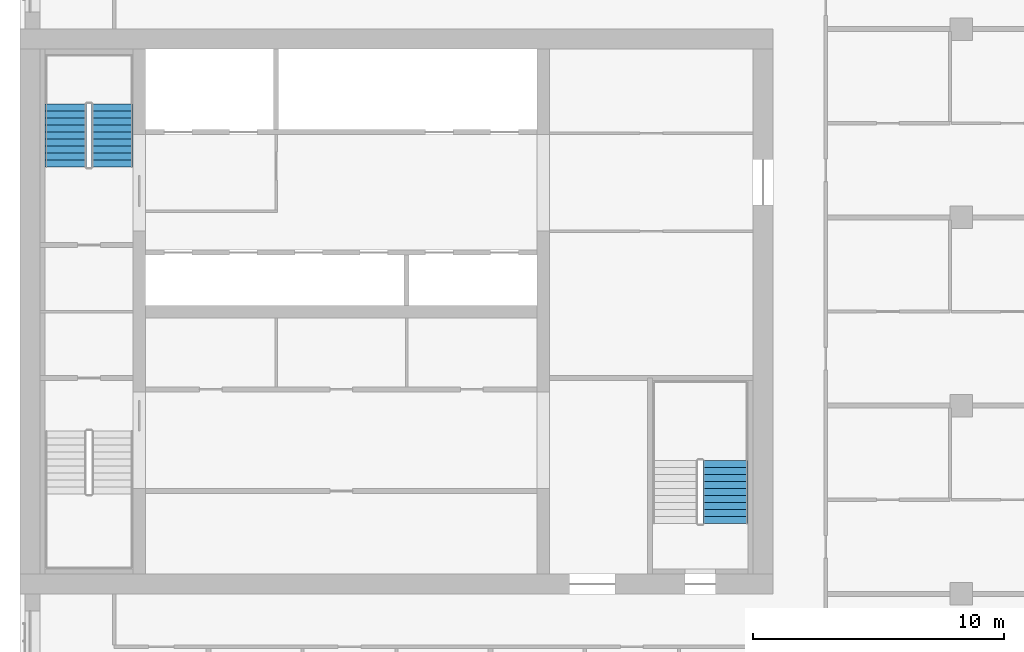
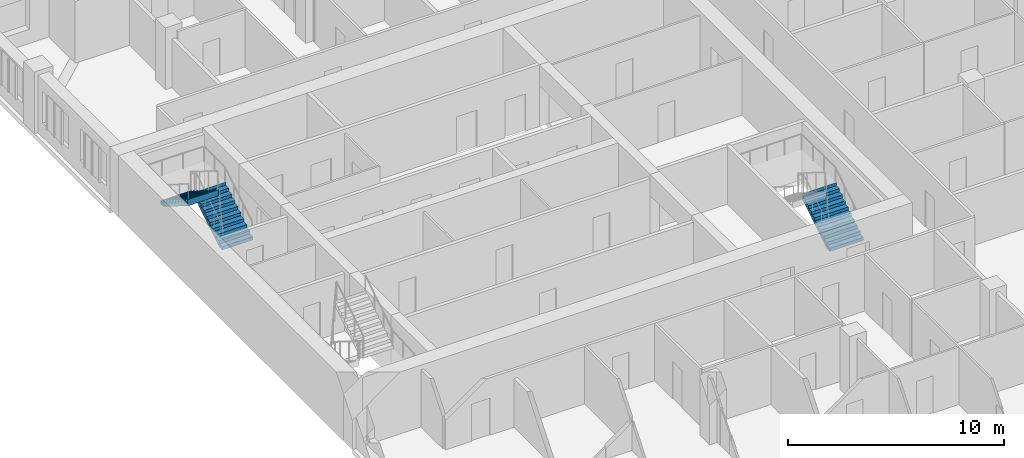
# One storey, part 13 of 14: 3 stair flights, 2 elements without a shape of their own.
"""IFC4 building model written with IfcOpenShell, lengths in metres."""

import ifcopenshell
import ifcopenshell.guid

model = None  # the IFC model being written
_history = None  # IfcOwnerHistory: only IFC2X3 demands one
_inside = {}  # id of a spatial element -> (the spatial element, [elements in it])
_under = {}  # id of a project, library or spatial element -> (it, [spatial elements below it])
_declared = {}  # id of a project -> (the project, [libraries it declares])
_typed = {}  # id of a type object -> (the type object, [elements of that type])
_made_of = {}  # id of a material, layer set ... -> (it, [elements and type objects made of it])


def new_model(schema):
    """Start an empty IFC model of exactly this schema.

    Asked for "IFC4X3", IfcOpenShell would pick the latest addendum, in which some entities
    have other attributes; the version numbers below select the first issue.
    IFC2X3 requires an IfcOwnerHistory on every rooted entity: one is made here for all.
    """
    global model, _history
    if schema == "IFC4X3":
        model = ifcopenshell.file(schema_version=(4, 3, 0, 0))
    else:
        model = ifcopenshell.file(schema=schema)
    _inside.clear()
    _under.clear()
    _declared.clear()
    _typed.clear()
    _made_of.clear()
    _history = None
    if model.schema == "IFC2X3":
        org = make("IfcOrganization", Name="unknown")
        user = make(
            "IfcPersonAndOrganization",
            ThePerson=make("IfcPerson", FamilyName="unknown"),
            TheOrganization=org,
        )
        app = make(
            "IfcApplication",
            ApplicationDeveloper=org,
            Version="unknown",
            ApplicationFullName="unknown",
            ApplicationIdentifier="unknown",
        )
        _history = make(
            "IfcOwnerHistory",
            OwningUser=user,
            OwningApplication=app,
            ChangeAction="ADDED",
            CreationDate=0,
        )
    return model


def make(cls, **values):
    """One entity of the class cls with the attributes given. An attribute that is None is left unset."""
    return model.create_entity(
        cls, **{name: value for name, value in values.items() if value is not None}
    )


def rooted(cls, **values):
    """An entity with a GlobalId (a new one), such as an element, a storey or a relation."""
    return make(cls, GlobalId=ifcopenshell.guid.new(), OwnerHistory=_history, **values)


def si_unit(unit_type, name, prefix=None):
    """IfcSIUnit, for example si_unit("LENGTHUNIT", "METRE", prefix="MILLI")."""
    return make("IfcSIUnit", UnitType=unit_type, Prefix=prefix, Name=name)


def assignment(units):
    """IfcUnitAssignment: the units of a project."""
    return None if units is None else make("IfcUnitAssignment", Units=units)


def point(xyz):
    """IfcCartesianPoint."""
    return None if xyz is None else make("IfcCartesianPoint", Coordinates=xyz)


def direction(xyz):
    """IfcDirection."""
    return None if xyz is None else make("IfcDirection", DirectionRatios=xyz)


def frame(location, z_axis=None, x_axis=None):
    """IfcAxis2Placement3D, a coordinate frame: its origin and axes. An axis left out is left unset."""
    return make(
        "IfcAxis2Placement3D",
        Location=point(location),
        Axis=direction(z_axis),
        RefDirection=direction(x_axis),
    )


def origin():
    """The frame at (0, 0, 0) with its axes left unset."""
    return frame((0.0, 0.0, 0.0))


def place(relative_to, where):
    """IfcLocalPlacement: puts the frame where relative to a parent placement (None: the world)."""
    return make(
        "IfcLocalPlacement", PlacementRelTo=relative_to, RelativePlacement=where
    )


def context(
    kind, dimensions, precision=None, world=None, true_north=None, identifier=None
):
    """IfcGeometricRepresentationContext, for example the 3D "Model" context."""
    return make(
        "IfcGeometricRepresentationContext",
        ContextIdentifier=identifier,
        ContextType=kind,
        CoordinateSpaceDimension=dimensions,
        Precision=precision,
        WorldCoordinateSystem=world,
        TrueNorth=true_north,
    )


def subcontext(parent, identifier, kind, view, scale=None):
    """IfcGeometricRepresentationSubContext, for example "Body" below "Model"."""
    return make(
        "IfcGeometricRepresentationSubContext",
        ContextIdentifier=identifier,
        ContextType=kind,
        ParentContext=parent,
        TargetScale=scale,
        TargetView=view,
    )


def project(units=None, contexts=None):
    """IfcProject with its units and contexts."""
    return rooted(
        "IfcProject",
        Name="project",
        RepresentationContexts=contexts,
        UnitsInContext=assignment(units),
    )


def spatial(cls, under=None, at=None, **own):
    """A site, building, storey or space (cls), placed at a placement, below another one or the project."""
    s = rooted(cls, ObjectPlacement=at, **own)
    if under is not None:
        _under.setdefault(under.id(), (under, []))[1].append(s)
    return s


def polyline(points):
    """IfcPolyline through the points."""
    return make("IfcPolyline", Points=[point(p) for p in points])


def outline(outer, holes=None, kind="AREA"):
    """IfcArbitraryClosedProfileDef: a profile drawn as a closed curve; with holes, ...WithVoids."""
    if holes is None:
        return make("IfcArbitraryClosedProfileDef", ProfileType=kind, OuterCurve=outer)
    return make(
        "IfcArbitraryProfileDefWithVoids",
        ProfileType=kind,
        OuterCurve=outer,
        InnerCurves=holes,
    )


def extrude(swept, where, along, depth):
    """IfcExtrudedAreaSolid: the profile swept, set in the frame where, extruded along a direction by depth."""
    return make(
        "IfcExtrudedAreaSolid",
        SweptArea=swept,
        Position=where,
        ExtrudedDirection=direction(along),
        Depth=depth,
    )


def shape(context_of_items, identifier, shape_type, items):
    """IfcShapeRepresentation: the items that make up one representation, for example the "Body"."""
    return make(
        "IfcShapeRepresentation",
        ContextOfItems=context_of_items,
        RepresentationIdentifier=identifier,
        RepresentationType=shape_type,
        Items=items,
    )


def material(Name=None, Category=None):
    """IfcMaterial."""
    return make("IfcMaterial", Name=Name, Category=Category)


def made_of(thing, what):
    """Note that an element or type object is made of a material, layer set ...; save() writes the relation."""
    if what is not None:
        _made_of.setdefault(what.id(), (what, []))[1].append(thing)
    return thing


def type_object(cls, material=None, **own):
    """A type object (cls), such as IfcWallType, which elements share."""
    return made_of(rooted(cls, **own), material)


def element(
    cls,
    number,
    at=None,
    inside=None,
    cuts=None,
    type_object=None,
    material=None,
    context=None,
    identifier="Body",
    shape_type=None,
    held_by="IfcProductDefinitionShape",
    body=None,
    shapes=None,
    **own,
):
    """One element of the class cls, such as IfcWall. Its Tag is "e" and its number.

    at: its placement. inside: the storey or other place that contains it. cuts: it is an
    opening in that element (IfcRelVoidsElement). A single representation is given by context,
    identifier, shape_type and body (its items); several are given by shapes. held_by: the class
    of the entity that holds the representations. save() writes the other relations.
    """
    e = rooted(cls, Tag="e%d" % number, ObjectPlacement=at, **own)
    if body is not None:
        shapes = [shape(context, identifier, shape_type, body)]
    if shapes is not None:
        e.Representation = make(held_by, Representations=shapes)
    if inside is not None:
        _inside.setdefault(inside.id(), (inside, []))[1].append(e)
    if cuts is not None:
        rooted(
            "IfcRelVoidsElement", RelatingBuildingElement=cuts, RelatedOpeningElement=e
        )
    if type_object is not None:
        _typed.setdefault(type_object.id(), (type_object, []))[1].append(e)
    return made_of(e, material)


def aggregate(whole, parts):
    """IfcRelAggregates: a whole, such as a stair, and the parts it consists of."""
    return rooted("IfcRelAggregates", RelatingObject=whole, RelatedObjects=parts)


def save(model, path):
    """Write the relations noted so far, then the file.

    IfcRelAggregates (storeys below a building ...), IfcRelContainedInSpatialStructure (elements
    in a storey), IfcRelDefinesByType, IfcRelAssociatesMaterial and IfcRelDeclares: one each for
    every whole, place, type object, material and project.
    """
    for whole, parts in _under.values():
        aggregate(whole, parts)
    for where, things in _inside.values():
        rooted(
            "IfcRelContainedInSpatialStructure",
            RelatedElements=things,
            RelatingStructure=where,
        )
    for kind, things in _typed.values():
        rooted("IfcRelDefinesByType", RelatedObjects=things, RelatingType=kind)
    for what, things in _made_of.values():
        rooted("IfcRelAssociatesMaterial", RelatedObjects=things, RelatingMaterial=what)
    for by, libraries in _declared.values():
        rooted("IfcRelDeclares", RelatingContext=by, RelatedDefinitions=libraries)
    model.write(path)


model = new_model("IFC4")

# Units and contexts
model_context = context("Model", 3, precision=1e-05, world=origin(), true_north=direction((0.0, 1.0)))
body_context = subcontext(model_context, "Body", "Model", "MODEL_VIEW")
ifc_project = project(units=[si_unit("LENGTHUNIT", "METRE"), si_unit("AREAUNIT", "SQUARE_METRE"), si_unit("VOLUMEUNIT", "CUBIC_METRE"), si_unit("PLANEANGLEUNIT", "RADIAN"), si_unit("MASSUNIT", "GRAM", prefix="KILO")], contexts=[model_context])

# Site, building, storey
site_placement = place(None, origin())
site = spatial("IfcSite", under=ifc_project, at=site_placement, CompositionType="ELEMENT")
building_placement = place(site_placement, origin())
building = spatial("IfcBuilding", under=site, at=building_placement, Name="Tamorin Gate", CompositionType="ELEMENT")
storey_placement = place(building_placement, frame((0.0, 0.0, 196.699951171875)))
storey = spatial("IfcBuildingStorey", under=building, at=storey_placement, Name="L48", CompositionType="ELEMENT", Elevation=196.699951171875)

# Stair, stair flights
ifc_material = material(Name="Concrete C40/50", Category="concrete")
stair_type = type_object("IfcStairType", Name="Exit stair", PredefinedType="HALF_TURN_STAIR", material=ifc_material)
stair_1_placement = place(storey_placement, origin())
stair_1 = element("IfcStair", 1, at=stair_1_placement, inside=storey, type_object=stair_type, Name="L48 stair ST2", PredefinedType="HALF_TURN_STAIR")
stair_flight_type = type_object("IfcStairFlightType", Name="Exit stair flight", PredefinedType="STRAIGHT", material=ifc_material)
stair_flight_1_placement = place(storey_placement, frame((33.675048828125, 77.0, 0.0), z_axis=(0.0, 0.0, 1.0), x_axis=(0.0, 1.0, 0.0)))
stair_flight_1 = element("IfcStairFlight", 2, at=stair_flight_1_placement, type_object=stair_flight_type, Name="ST2 flight 1", NumberOfRisers=10, NumberOfTreads=9, PredefinedType="STRAIGHT", RiserHeight=0.175, TreadLength=0.28, context=body_context, shape_type="SweptSolid", body=[
    extrude(outline(polyline([(-0.00048828125, 0.0), (-0.00048828125, 0.001708984375), (-0.00048828125, 0.00341796875), (-0.00048828125, 0.005126953125), (-0.00048828125, 0.0068359375), (-0.00048828125, 0.008544921875), (-0.00048828125, 0.010498046875), (-0.00048828125, 0.01220703125), (-0.00048828125, 0.013916015625), (-0.00048828125, 0.015625), (-0.00048828125, 0.017333984375), (-0.00048828125, 0.01904296875), (-0.00048828125, 0.020751953125), (-0.00048828125, 0.0224609375), (-0.00048828125, 0.024169921875), (-0.00048828125, 0.02587890625), (-0.00048828125, 0.02783203125), (-0.00048828125, 0.029541015625), (-0.00048828125, 0.03125), (-0.00048828125, 0.032958984375), (-0.00048828125, 0.03466796875), (-0.00048828125, 0.036376953125), (-0.00048828125, 0.0380859375), (-0.00048828125, 0.039794921875), (-0.00048828125, 0.04150390625), (-0.00048828125, 0.043212890625), (-0.00048828125, 0.045166015625), (-0.00048828125, 0.046875), (-0.00048828125, 0.048583984375), (-0.00048828125, 0.05029296875), (-0.00048828125, 0.052001953125), (-0.00048828125, 0.0537109375), (-0.00048828125, 0.055419921875), (-0.00048828125, 0.05712890625), (-0.00048828125, 0.058837890625), (-0.00048828125, 0.060546875), (-0.00048828125, 0.062255859375), (-0.00048828125, 0.064208984375), (-0.00048828125, 0.06591796875), (-0.00048828125, 0.067626953125), (-0.00048828125, 0.0693359375), (-0.00048828125, 0.071044921875), (-0.00048828125, 0.07275390625), (-0.00048828125, 0.074462890625), (-0.00048828125, 0.076171875), (-0.00048828125, 0.077880859375), (-0.00048828125, 0.07958984375), (-0.00048828125, 0.08154296875), (-0.00048828125, 0.083251953125), (-0.00048828125, 0.0849609375), (-0.00048828125, 0.086669921875), (-0.00048828125, 0.08837890625), (-0.00048828125, 0.090087890625), (-0.00048828125, 0.091796875), (-0.00048828125, 0.093505859375), (-0.00048828125, 0.09521484375), (-0.00048828125, 0.096923828125), (-0.00048828125, 0.098876953125), (-0.00048828125, 0.1005859375), (-0.00048828125, 0.102294921875), (-0.00048828125, 0.10400390625), (-0.00048828125, 0.105712890625), (-0.00048828125, 0.107421875), (-0.00048828125, 0.109130859375), (-0.00048828125, 0.11083984375), (-0.00048828125, 0.112548828125), (-0.00048828125, 0.1142578125), (-0.00048828125, 0.1162109375), (-0.00048828125, 0.117919921875), (-0.00048828125, 0.11962890625), (-0.00048828125, 0.121337890625), (-0.00048828125, 0.123046875), (-0.00048828125, 0.124755859375), (-0.00048828125, 0.12646484375), (-0.00048828125, 0.128173828125), (-0.00048828125, 0.1298828125), (-0.00048828125, 0.131591796875), (-0.00048828125, 0.13330078125), (-0.00048828125, 0.13525390625), (-0.00048828125, 0.136962890625), (-0.00048828125, 0.138671875), (-0.00048828125, 0.140380859375), (-0.00048828125, 0.14208984375), (-0.00048828125, 0.143798828125), (-0.00048828125, 0.1455078125), (-0.00048828125, 0.147216796875), (-0.00048828125, 0.14892578125), (-0.00048828125, 0.150634765625), (-0.00048828125, 0.152587890625), (-0.00048828125, 0.154296875), (-0.00048828125, 0.156005859375), (-0.00048828125, 0.15771484375), (-0.00048828125, 0.159423828125), (-0.00048828125, 0.1611328125), (-0.00048828125, 0.162841796875), (-0.00048828125, 0.16455078125), (-0.00048828125, 0.166259765625), (-0.00048828125, 0.16796875), (-0.00048828125, 0.169921875), (-0.00048828125, 0.171630859375), (-0.00048828125, 0.17333984375), (-0.00048828125, 0.175048828125), (0.280029296875, 0.175048828125), (0.280029296875, 0.35009765625), (0.56005859375, 0.35009765625), (0.56005859375, 0.52490234375), (0.840087890625, 0.52490234375), (0.840087890625, 0.699951171875), (1.1201171875, 0.699951171875), (1.1201171875, 0.875), (1.39990234375, 0.875), (1.39990234375, 1.050048828125), (1.679931640625, 1.050048828125), (1.679931640625, 1.22509765625), (1.9599609375, 1.22509765625), (1.9599609375, 1.39990234375), (2.239990234375, 1.39990234375), (2.239990234375, 1.574951171875), (2.52001953125, 1.574951171875), (2.52001953125, 1.75), (2.5205078125, 1.75), (2.5205078125, 1.74658203125), (2.5205078125, 1.742919921875), (2.5205078125, 1.739501953125), (2.5205078125, 1.736083984375), (2.5205078125, 1.732666015625), (2.5205078125, 1.72900390625), (2.5205078125, 1.7255859375), (2.5205078125, 1.72216796875), (2.5205078125, 1.71875), (2.5205078125, 1.715087890625), (2.5205078125, 1.711669921875), (2.5205078125, 1.708251953125), (2.5205078125, 1.704833984375), (2.5205078125, 1.701171875), (2.5205078125, 1.69775390625), (2.5205078125, 1.6943359375), (2.5205078125, 1.690673828125), (2.5205078125, 1.687255859375), (2.5205078125, 1.683837890625), (2.5205078125, 1.680419921875), (2.5205078125, 1.6767578125), (2.5205078125, 1.67333984375), (2.5205078125, 1.669921875), (2.5205078125, 1.66650390625), (2.5205078125, 1.662841796875), (2.5205078125, 1.659423828125), (2.5205078125, 1.656005859375), (2.5205078125, 1.652587890625), (2.5205078125, 1.64892578125), (2.5205078125, 1.6455078125), (2.5205078125, 1.64208984375), (2.5205078125, 1.638427734375), (2.5205078125, 1.635009765625), (2.5205078125, 1.631591796875), (2.5205078125, 1.628173828125), (2.5205078125, 1.62451171875), (2.5205078125, 1.62109375), (2.5205078125, 1.61767578125), (2.5205078125, 1.6142578125), (2.5205078125, 1.610595703125), (2.5205078125, 1.607177734375), (2.5205078125, 1.603759765625), (2.5205078125, 1.600341796875), (2.5205078125, 1.5966796875), (2.5205078125, 1.59326171875), (2.5205078125, 1.58984375), (2.5205078125, 1.58642578125), (2.5205078125, 1.582763671875), (2.5205078125, 1.579345703125), (2.5205078125, 1.575927734375), (2.5205078125, 1.572265625), (2.5205078125, 1.56884765625), (2.5205078125, 1.5654296875), (2.5205078125, 1.56201171875), (2.5205078125, 1.558349609375), (2.5205078125, 1.554931640625), (2.5205078125, 1.551513671875), (2.5205078125, 1.548095703125), (2.5205078125, 1.54443359375), (2.5205078125, 1.541015625), (2.5205078125, 1.53759765625), (2.5205078125, 1.5341796875), (2.5205078125, 1.530517578125), (2.5205078125, 1.527099609375), (2.5205078125, 1.523681640625), (2.5205078125, 1.52001953125), (2.5205078125, 1.5166015625), (2.5205078125, 1.51318359375), (2.5205078125, 1.509765625), (2.5205078125, 1.506103515625), (2.5205078125, 1.502685546875), (2.5205078125, 1.499267578125), (2.5205078125, 1.495849609375), (2.5205078125, 1.4921875), (2.5205078125, 1.48876953125), (2.5205078125, 1.4853515625), (2.5205078125, 1.48193359375), (2.5205078125, 1.478271484375), (2.5205078125, 1.474853515625), (2.5205078125, 1.471435546875), (2.5205078125, 1.4677734375), (2.5205078125, 1.46435546875), (2.5205078125, 1.4609375), (2.5205078125, 1.45751953125), (2.5205078125, 1.453857421875), (2.5205078125, 1.450439453125), (2.5205078125, 1.447021484375), (2.5205078125, 1.443603515625), (2.5205078125, 1.43994140625), (2.5205078125, 1.4365234375), (2.5205078125, 1.43310546875), (2.5205078125, 1.4296875), (2.5205078125, 1.426025390625), (2.5205078125, 1.422607421875), (2.5205078125, 1.419189453125), (2.5205078125, 1.41552734375), (2.5205078125, 1.412109375), (2.5205078125, 1.40869140625), (2.5205078125, 1.4052734375), (2.5205078125, 1.401611328125), (2.5205078125, 1.398193359375), (2.52001953125, 1.398193359375), (0.28271484375, 0.0), (-0.00048828125, 0.0)])), frame((0.0, 0.824951171875, 0.0), z_axis=(0.0, -1.0, 0.0), x_axis=(1.0, 0.0, 0.0)), (0.0, 0.0, 1.0), 1.64990234375),
])
stair_flight_2_placement = place(storey_placement, frame((31.824951171875, 79.52001953125, 1.75), z_axis=(0.0, 0.0, 1.0), x_axis=(0.0, -1.0, 0.0)))
stair_flight_2 = element("IfcStairFlight", 3, at=stair_flight_2_placement, type_object=stair_flight_type, Name="ST2 flight 2", NumberOfRisers=10, NumberOfTreads=9, PredefinedType="STRAIGHT", RiserHeight=0.175, TreadLength=0.28, context=body_context, shape_type="SweptSolid", body=[
    extrude(outline(polyline([(-0.00048828125, 0.0), (-0.00048828125, 0.001708984375), (-0.00048828125, 0.00341796875), (-0.00048828125, 0.005126953125), (-0.00048828125, 0.0068359375), (-0.00048828125, 0.008544921875), (-0.00048828125, 0.010498046875), (-0.00048828125, 0.01220703125), (-0.00048828125, 0.013916015625), (-0.00048828125, 0.015625), (-0.00048828125, 0.017333984375), (-0.00048828125, 0.01904296875), (-0.00048828125, 0.020751953125), (-0.00048828125, 0.0224609375), (-0.00048828125, 0.024169921875), (-0.00048828125, 0.02587890625), (-0.00048828125, 0.02783203125), (-0.00048828125, 0.029541015625), (-0.00048828125, 0.03125), (-0.00048828125, 0.032958984375), (-0.00048828125, 0.03466796875), (-0.00048828125, 0.036376953125), (-0.00048828125, 0.0380859375), (-0.00048828125, 0.039794921875), (-0.00048828125, 0.04150390625), (-0.00048828125, 0.043212890625), (-0.00048828125, 0.045166015625), (-0.00048828125, 0.046875), (-0.00048828125, 0.048583984375), (-0.00048828125, 0.05029296875), (-0.00048828125, 0.052001953125), (-0.00048828125, 0.0537109375), (-0.00048828125, 0.055419921875), (-0.00048828125, 0.05712890625), (-0.00048828125, 0.058837890625), (-0.00048828125, 0.060546875), (-0.00048828125, 0.062255859375), (-0.00048828125, 0.064208984375), (-0.00048828125, 0.06591796875), (-0.00048828125, 0.067626953125), (-0.00048828125, 0.0693359375), (-0.00048828125, 0.071044921875), (-0.00048828125, 0.07275390625), (-0.00048828125, 0.074462890625), (-0.00048828125, 0.076171875), (-0.00048828125, 0.077880859375), (-0.00048828125, 0.07958984375), (-0.00048828125, 0.08154296875), (-0.00048828125, 0.083251953125), (-0.00048828125, 0.0849609375), (-0.00048828125, 0.086669921875), (-0.00048828125, 0.08837890625), (-0.00048828125, 0.090087890625), (-0.00048828125, 0.091796875), (-0.00048828125, 0.093505859375), (-0.00048828125, 0.09521484375), (-0.00048828125, 0.096923828125), (-0.00048828125, 0.098876953125), (-0.00048828125, 0.1005859375), (-0.00048828125, 0.102294921875), (-0.00048828125, 0.10400390625), (-0.00048828125, 0.105712890625), (-0.00048828125, 0.107421875), (-0.00048828125, 0.109130859375), (-0.00048828125, 0.11083984375), (-0.00048828125, 0.112548828125), (-0.00048828125, 0.1142578125), (-0.00048828125, 0.1162109375), (-0.00048828125, 0.117919921875), (-0.00048828125, 0.11962890625), (-0.00048828125, 0.121337890625), (-0.00048828125, 0.123046875), (-0.00048828125, 0.124755859375), (-0.00048828125, 0.12646484375), (-0.00048828125, 0.128173828125), (-0.00048828125, 0.1298828125), (-0.00048828125, 0.131591796875), (-0.00048828125, 0.13330078125), (-0.00048828125, 0.13525390625), (-0.00048828125, 0.136962890625), (-0.00048828125, 0.138671875), (-0.00048828125, 0.140380859375), (-0.00048828125, 0.14208984375), (-0.00048828125, 0.143798828125), (-0.00048828125, 0.1455078125), (-0.00048828125, 0.147216796875), (-0.00048828125, 0.14892578125), (-0.00048828125, 0.150634765625), (-0.00048828125, 0.152587890625), (-0.00048828125, 0.154296875), (-0.00048828125, 0.156005859375), (-0.00048828125, 0.15771484375), (-0.00048828125, 0.159423828125), (-0.00048828125, 0.1611328125), (-0.00048828125, 0.162841796875), (-0.00048828125, 0.16455078125), (-0.00048828125, 0.166259765625), (-0.00048828125, 0.16796875), (-0.00048828125, 0.169921875), (-0.00048828125, 0.171630859375), (-0.00048828125, 0.17333984375), (-0.00048828125, 0.175048828125), (0.280029296875, 0.175048828125), (0.280029296875, 0.35009765625), (0.56005859375, 0.35009765625), (0.56005859375, 0.52490234375), (0.840087890625, 0.52490234375), (0.840087890625, 0.699951171875), (1.1201171875, 0.699951171875), (1.1201171875, 0.875), (1.39990234375, 0.875), (1.39990234375, 1.050048828125), (1.679931640625, 1.050048828125), (1.679931640625, 1.22509765625), (1.9599609375, 1.22509765625), (1.9599609375, 1.39990234375), (2.239990234375, 1.39990234375), (2.239990234375, 1.574951171875), (2.52001953125, 1.574951171875), (2.52001953125, 1.75), (2.5205078125, 1.75), (2.5205078125, 1.74658203125), (2.5205078125, 1.742919921875), (2.5205078125, 1.739501953125), (2.5205078125, 1.736083984375), (2.5205078125, 1.732666015625), (2.5205078125, 1.72900390625), (2.5205078125, 1.7255859375), (2.5205078125, 1.72216796875), (2.5205078125, 1.71875), (2.5205078125, 1.715087890625), (2.5205078125, 1.711669921875), (2.5205078125, 1.708251953125), (2.5205078125, 1.704833984375), (2.5205078125, 1.701171875), (2.5205078125, 1.69775390625), (2.5205078125, 1.6943359375), (2.5205078125, 1.690673828125), (2.5205078125, 1.687255859375), (2.5205078125, 1.683837890625), (2.5205078125, 1.680419921875), (2.5205078125, 1.6767578125), (2.5205078125, 1.67333984375), (2.5205078125, 1.669921875), (2.5205078125, 1.66650390625), (2.5205078125, 1.662841796875), (2.5205078125, 1.659423828125), (2.5205078125, 1.656005859375), (2.5205078125, 1.652587890625), (2.5205078125, 1.64892578125), (2.5205078125, 1.6455078125), (2.5205078125, 1.64208984375), (2.5205078125, 1.638427734375), (2.5205078125, 1.635009765625), (2.5205078125, 1.631591796875), (2.5205078125, 1.628173828125), (2.5205078125, 1.62451171875), (2.5205078125, 1.62109375), (2.5205078125, 1.61767578125), (2.5205078125, 1.6142578125), (2.5205078125, 1.610595703125), (2.5205078125, 1.607177734375), (2.5205078125, 1.603759765625), (2.5205078125, 1.600341796875), (2.5205078125, 1.5966796875), (2.5205078125, 1.59326171875), (2.5205078125, 1.58984375), (2.5205078125, 1.58642578125), (2.5205078125, 1.582763671875), (2.5205078125, 1.579345703125), (2.5205078125, 1.575927734375), (2.5205078125, 1.572265625), (2.5205078125, 1.56884765625), (2.5205078125, 1.5654296875), (2.5205078125, 1.56201171875), (2.5205078125, 1.558349609375), (2.5205078125, 1.554931640625), (2.5205078125, 1.551513671875), (2.5205078125, 1.548095703125), (2.5205078125, 1.54443359375), (2.5205078125, 1.541015625), (2.5205078125, 1.53759765625), (2.5205078125, 1.5341796875), (2.5205078125, 1.530517578125), (2.5205078125, 1.527099609375), (2.5205078125, 1.523681640625), (2.5205078125, 1.52001953125), (2.5205078125, 1.5166015625), (2.5205078125, 1.51318359375), (2.5205078125, 1.509765625), (2.5205078125, 1.506103515625), (2.5205078125, 1.502685546875), (2.5205078125, 1.499267578125), (2.5205078125, 1.495849609375), (2.5205078125, 1.4921875), (2.5205078125, 1.48876953125), (2.5205078125, 1.4853515625), (2.5205078125, 1.48193359375), (2.5205078125, 1.478271484375), (2.5205078125, 1.474853515625), (2.5205078125, 1.471435546875), (2.5205078125, 1.4677734375), (2.5205078125, 1.46435546875), (2.5205078125, 1.4609375), (2.5205078125, 1.45751953125), (2.5205078125, 1.453857421875), (2.5205078125, 1.450439453125), (2.5205078125, 1.447021484375), (2.5205078125, 1.443603515625), (2.5205078125, 1.43994140625), (2.5205078125, 1.4365234375), (2.5205078125, 1.43310546875), (2.5205078125, 1.4296875), (2.5205078125, 1.426025390625), (2.5205078125, 1.422607421875), (2.5205078125, 1.419189453125), (2.5205078125, 1.41552734375), (2.5205078125, 1.412109375), (2.5205078125, 1.40869140625), (2.5205078125, 1.4052734375), (2.5205078125, 1.401611328125), (2.5205078125, 1.398193359375), (2.52001953125, 1.398193359375), (0.28271484375, 0.0), (-0.00048828125, 0.0)])), frame((0.0, 0.824951171875, 0.0), z_axis=(0.0, -1.0, 0.0), x_axis=(1.0, 0.0, 0.0)), (0.0, 0.0, 1.0), 1.64990234375),
])
aggregate(stair_1, [stair_flight_1, stair_flight_2])

# Stair, stair flight
stair_2_placement = place(storey_placement, origin())
stair_2 = element("IfcStair", 4, at=stair_2_placement, inside=storey, type_object=stair_type, Name="L48 stair ST3", PredefinedType="HALF_TURN_STAIR")
stair_flight_3_placement = place(storey_placement, frame((58.10009765625, 62.800048828125, 0.0), z_axis=(0.0, 0.0, 1.0), x_axis=(0.0, 1.0, 0.0)))
stair_flight_3 = element("IfcStairFlight", 5, at=stair_flight_3_placement, type_object=stair_flight_type, Name="ST3 flight 1", NumberOfRisers=10, NumberOfTreads=9, PredefinedType="STRAIGHT", RiserHeight=0.175, TreadLength=0.28, context=body_context, shape_type="SweptSolid", body=[
    extrude(outline(polyline([(-0.00048828125, 0.0), (-0.00048828125, 0.001708984375), (-0.00048828125, 0.00341796875), (-0.00048828125, 0.005126953125), (-0.00048828125, 0.0068359375), (-0.00048828125, 0.008544921875), (-0.00048828125, 0.010498046875), (-0.00048828125, 0.01220703125), (-0.00048828125, 0.013916015625), (-0.00048828125, 0.015625), (-0.00048828125, 0.017333984375), (-0.00048828125, 0.01904296875), (-0.00048828125, 0.020751953125), (-0.00048828125, 0.0224609375), (-0.00048828125, 0.024169921875), (-0.00048828125, 0.02587890625), (-0.00048828125, 0.02783203125), (-0.00048828125, 0.029541015625), (-0.00048828125, 0.03125), (-0.00048828125, 0.032958984375), (-0.00048828125, 0.03466796875), (-0.00048828125, 0.036376953125), (-0.00048828125, 0.0380859375), (-0.00048828125, 0.039794921875), (-0.00048828125, 0.04150390625), (-0.00048828125, 0.043212890625), (-0.00048828125, 0.045166015625), (-0.00048828125, 0.046875), (-0.00048828125, 0.048583984375), (-0.00048828125, 0.05029296875), (-0.00048828125, 0.052001953125), (-0.00048828125, 0.0537109375), (-0.00048828125, 0.055419921875), (-0.00048828125, 0.05712890625), (-0.00048828125, 0.058837890625), (-0.00048828125, 0.060546875), (-0.00048828125, 0.062255859375), (-0.00048828125, 0.064208984375), (-0.00048828125, 0.06591796875), (-0.00048828125, 0.067626953125), (-0.00048828125, 0.0693359375), (-0.00048828125, 0.071044921875), (-0.00048828125, 0.07275390625), (-0.00048828125, 0.074462890625), (-0.00048828125, 0.076171875), (-0.00048828125, 0.077880859375), (-0.00048828125, 0.07958984375), (-0.00048828125, 0.08154296875), (-0.00048828125, 0.083251953125), (-0.00048828125, 0.0849609375), (-0.00048828125, 0.086669921875), (-0.00048828125, 0.08837890625), (-0.00048828125, 0.090087890625), (-0.00048828125, 0.091796875), (-0.00048828125, 0.093505859375), (-0.00048828125, 0.09521484375), (-0.00048828125, 0.096923828125), (-0.00048828125, 0.098876953125), (-0.00048828125, 0.1005859375), (-0.00048828125, 0.102294921875), (-0.00048828125, 0.10400390625), (-0.00048828125, 0.105712890625), (-0.00048828125, 0.107421875), (-0.00048828125, 0.109130859375), (-0.00048828125, 0.11083984375), (-0.00048828125, 0.112548828125), (-0.00048828125, 0.1142578125), (-0.00048828125, 0.1162109375), (-0.00048828125, 0.117919921875), (-0.00048828125, 0.11962890625), (-0.00048828125, 0.121337890625), (-0.00048828125, 0.123046875), (-0.00048828125, 0.124755859375), (-0.00048828125, 0.12646484375), (-0.00048828125, 0.128173828125), (-0.00048828125, 0.1298828125), (-0.00048828125, 0.131591796875), (-0.00048828125, 0.13330078125), (-0.00048828125, 0.13525390625), (-0.00048828125, 0.136962890625), (-0.00048828125, 0.138671875), (-0.00048828125, 0.140380859375), (-0.00048828125, 0.14208984375), (-0.00048828125, 0.143798828125), (-0.00048828125, 0.1455078125), (-0.00048828125, 0.147216796875), (-0.00048828125, 0.14892578125), (-0.00048828125, 0.150634765625), (-0.00048828125, 0.152587890625), (-0.00048828125, 0.154296875), (-0.00048828125, 0.156005859375), (-0.00048828125, 0.15771484375), (-0.00048828125, 0.159423828125), (-0.00048828125, 0.1611328125), (-0.00048828125, 0.162841796875), (-0.00048828125, 0.16455078125), (-0.00048828125, 0.166259765625), (-0.00048828125, 0.16796875), (-0.00048828125, 0.169921875), (-0.00048828125, 0.171630859375), (-0.00048828125, 0.17333984375), (-0.00048828125, 0.175048828125), (0.280029296875, 0.175048828125), (0.280029296875, 0.35009765625), (0.56005859375, 0.35009765625), (0.56005859375, 0.52490234375), (0.840087890625, 0.52490234375), (0.840087890625, 0.699951171875), (1.1201171875, 0.699951171875), (1.1201171875, 0.875), (1.39990234375, 0.875), (1.39990234375, 1.050048828125), (1.679931640625, 1.050048828125), (1.679931640625, 1.22509765625), (1.9599609375, 1.22509765625), (1.9599609375, 1.39990234375), (2.239990234375, 1.39990234375), (2.239990234375, 1.574951171875), (2.52001953125, 1.574951171875), (2.52001953125, 1.75), (2.5205078125, 1.75), (2.5205078125, 1.74658203125), (2.5205078125, 1.742919921875), (2.5205078125, 1.739501953125), (2.5205078125, 1.736083984375), (2.5205078125, 1.732666015625), (2.5205078125, 1.72900390625), (2.5205078125, 1.7255859375), (2.5205078125, 1.72216796875), (2.5205078125, 1.71875), (2.5205078125, 1.715087890625), (2.5205078125, 1.711669921875), (2.5205078125, 1.708251953125), (2.5205078125, 1.704833984375), (2.5205078125, 1.701171875), (2.5205078125, 1.69775390625), (2.5205078125, 1.6943359375), (2.5205078125, 1.690673828125), (2.5205078125, 1.687255859375), (2.5205078125, 1.683837890625), (2.5205078125, 1.680419921875), (2.5205078125, 1.6767578125), (2.5205078125, 1.67333984375), (2.5205078125, 1.669921875), (2.5205078125, 1.66650390625), (2.5205078125, 1.662841796875), (2.5205078125, 1.659423828125), (2.5205078125, 1.656005859375), (2.5205078125, 1.652587890625), (2.5205078125, 1.64892578125), (2.5205078125, 1.6455078125), (2.5205078125, 1.64208984375), (2.5205078125, 1.638427734375), (2.5205078125, 1.635009765625), (2.5205078125, 1.631591796875), (2.5205078125, 1.628173828125), (2.5205078125, 1.62451171875), (2.5205078125, 1.62109375), (2.5205078125, 1.61767578125), (2.5205078125, 1.6142578125), (2.5205078125, 1.610595703125), (2.5205078125, 1.607177734375), (2.5205078125, 1.603759765625), (2.5205078125, 1.600341796875), (2.5205078125, 1.5966796875), (2.5205078125, 1.59326171875), (2.5205078125, 1.58984375), (2.5205078125, 1.58642578125), (2.5205078125, 1.582763671875), (2.5205078125, 1.579345703125), (2.5205078125, 1.575927734375), (2.5205078125, 1.572265625), (2.5205078125, 1.56884765625), (2.5205078125, 1.5654296875), (2.5205078125, 1.56201171875), (2.5205078125, 1.558349609375), (2.5205078125, 1.554931640625), (2.5205078125, 1.551513671875), (2.5205078125, 1.548095703125), (2.5205078125, 1.54443359375), (2.5205078125, 1.541015625), (2.5205078125, 1.53759765625), (2.5205078125, 1.5341796875), (2.5205078125, 1.530517578125), (2.5205078125, 1.527099609375), (2.5205078125, 1.523681640625), (2.5205078125, 1.52001953125), (2.5205078125, 1.5166015625), (2.5205078125, 1.51318359375), (2.5205078125, 1.509765625), (2.5205078125, 1.506103515625), (2.5205078125, 1.502685546875), (2.5205078125, 1.499267578125), (2.5205078125, 1.495849609375), (2.5205078125, 1.4921875), (2.5205078125, 1.48876953125), (2.5205078125, 1.4853515625), (2.5205078125, 1.48193359375), (2.5205078125, 1.478271484375), (2.5205078125, 1.474853515625), (2.5205078125, 1.471435546875), (2.5205078125, 1.4677734375), (2.5205078125, 1.46435546875), (2.5205078125, 1.4609375), (2.5205078125, 1.45751953125), (2.5205078125, 1.453857421875), (2.5205078125, 1.450439453125), (2.5205078125, 1.447021484375), (2.5205078125, 1.443603515625), (2.5205078125, 1.43994140625), (2.5205078125, 1.4365234375), (2.5205078125, 1.43310546875), (2.5205078125, 1.4296875), (2.5205078125, 1.426025390625), (2.5205078125, 1.422607421875), (2.5205078125, 1.419189453125), (2.5205078125, 1.41552734375), (2.5205078125, 1.412109375), (2.5205078125, 1.40869140625), (2.5205078125, 1.4052734375), (2.5205078125, 1.401611328125), (2.5205078125, 1.398193359375), (2.52001953125, 1.398193359375), (0.28271484375, 0.0), (-0.00048828125, 0.0)])), frame((0.0, 0.89990234375, 0.0), z_axis=(0.0, -1.0, 0.0), x_axis=(1.0, 0.0, 0.0)), (0.0, 0.0, 1.0), 1.800048828125),
])
aggregate(stair_2, [stair_flight_3])

save(model, "model.ifc")
